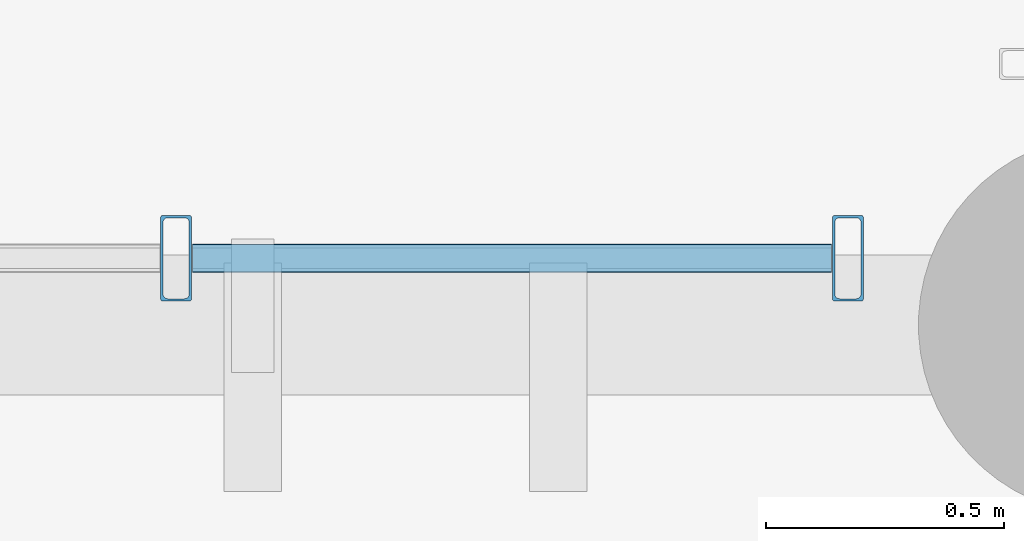
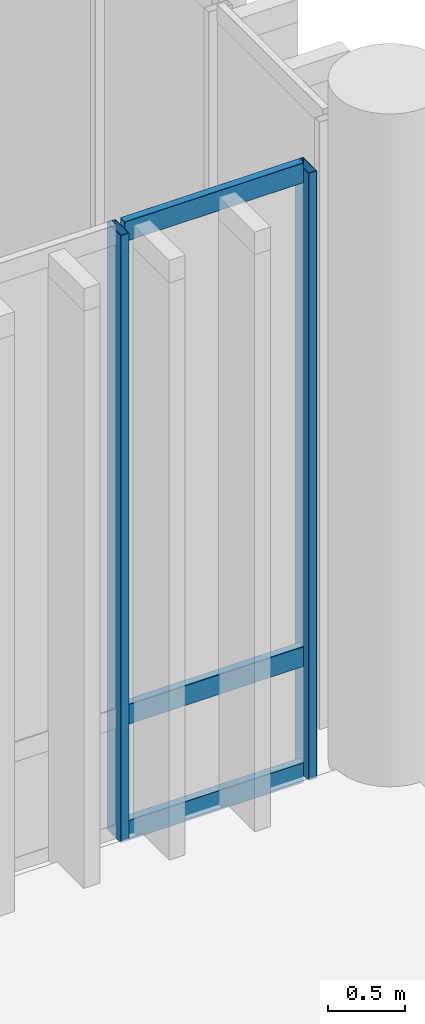
# One storey, part 77 of 128: 5 members, 1 element without a shape of its own.
"""IFC4 building model written with IfcOpenShell, lengths in metres."""

import ifcopenshell
import ifcopenshell.guid

model = None  # the IFC model being written
_history = None  # IfcOwnerHistory: only IFC2X3 demands one
_inside = {}  # id of a spatial element -> (the spatial element, [elements in it])
_under = {}  # id of a project, library or spatial element -> (it, [spatial elements below it])
_declared = {}  # id of a project -> (the project, [libraries it declares])
_typed = {}  # id of a type object -> (the type object, [elements of that type])
_made_of = {}  # id of a material, layer set ... -> (it, [elements and type objects made of it])


def new_model(schema):
    """Start an empty IFC model of exactly this schema.

    Asked for "IFC4X3", IfcOpenShell would pick the latest addendum, in which some entities
    have other attributes; the version numbers below select the first issue.
    IFC2X3 requires an IfcOwnerHistory on every rooted entity: one is made here for all.
    """
    global model, _history
    if schema == "IFC4X3":
        model = ifcopenshell.file(schema_version=(4, 3, 0, 0))
    else:
        model = ifcopenshell.file(schema=schema)
    _inside.clear()
    _under.clear()
    _declared.clear()
    _typed.clear()
    _made_of.clear()
    _history = None
    if model.schema == "IFC2X3":
        org = make("IfcOrganization", Name="unknown")
        user = make(
            "IfcPersonAndOrganization",
            ThePerson=make("IfcPerson", FamilyName="unknown"),
            TheOrganization=org,
        )
        app = make(
            "IfcApplication",
            ApplicationDeveloper=org,
            Version="unknown",
            ApplicationFullName="unknown",
            ApplicationIdentifier="unknown",
        )
        _history = make(
            "IfcOwnerHistory",
            OwningUser=user,
            OwningApplication=app,
            ChangeAction="ADDED",
            CreationDate=0,
        )
    return model


def make(cls, **values):
    """One entity of the class cls with the attributes given. An attribute that is None is left unset."""
    return model.create_entity(
        cls, **{name: value for name, value in values.items() if value is not None}
    )


def rooted(cls, **values):
    """An entity with a GlobalId (a new one), such as an element, a storey or a relation."""
    return make(cls, GlobalId=ifcopenshell.guid.new(), OwnerHistory=_history, **values)


def si_unit(unit_type, name, prefix=None):
    """IfcSIUnit, for example si_unit("LENGTHUNIT", "METRE", prefix="MILLI")."""
    return make("IfcSIUnit", UnitType=unit_type, Prefix=prefix, Name=name)


def assignment(units):
    """IfcUnitAssignment: the units of a project."""
    return None if units is None else make("IfcUnitAssignment", Units=units)


def point(xyz):
    """IfcCartesianPoint."""
    return None if xyz is None else make("IfcCartesianPoint", Coordinates=xyz)


def direction(xyz):
    """IfcDirection."""
    return None if xyz is None else make("IfcDirection", DirectionRatios=xyz)


def frame(location, z_axis=None, x_axis=None):
    """IfcAxis2Placement3D, a coordinate frame: its origin and axes. An axis left out is left unset."""
    return make(
        "IfcAxis2Placement3D",
        Location=point(location),
        Axis=direction(z_axis),
        RefDirection=direction(x_axis),
    )


def frame_2d(location, x_axis=None):
    """IfcAxis2Placement2D, a coordinate frame in the plane: its origin and x axis."""
    return make(
        "IfcAxis2Placement2D", Location=point(location), RefDirection=direction(x_axis)
    )


def origin_with_axes():
    """The frame at (0, 0, 0) with the z axis (0, 0, 1) and the x axis (1, 0, 0) written out."""
    return frame((0.0, 0.0, 0.0), z_axis=(0.0, 0.0, 1.0), x_axis=(1.0, 0.0, 0.0))


def origin_2d_with_axis():
    """The frame at (0, 0) in the plane with the x axis (1, 0) written out."""
    return frame_2d((0.0, 0.0), x_axis=(1.0, 0.0))


def place(relative_to, where):
    """IfcLocalPlacement: puts the frame where relative to a parent placement (None: the world)."""
    return make(
        "IfcLocalPlacement", PlacementRelTo=relative_to, RelativePlacement=where
    )


def context(
    kind, dimensions, precision=None, world=None, true_north=None, identifier=None
):
    """IfcGeometricRepresentationContext, for example the 3D "Model" context."""
    return make(
        "IfcGeometricRepresentationContext",
        ContextIdentifier=identifier,
        ContextType=kind,
        CoordinateSpaceDimension=dimensions,
        Precision=precision,
        WorldCoordinateSystem=world,
        TrueNorth=true_north,
    )


def subcontext(parent, identifier, kind, view, scale=None):
    """IfcGeometricRepresentationSubContext, for example "Body" below "Model"."""
    return make(
        "IfcGeometricRepresentationSubContext",
        ContextIdentifier=identifier,
        ContextType=kind,
        ParentContext=parent,
        TargetScale=scale,
        TargetView=view,
    )


def project(units=None, contexts=None):
    """IfcProject with its units and contexts."""
    return rooted(
        "IfcProject",
        Name="project",
        RepresentationContexts=contexts,
        UnitsInContext=assignment(units),
    )


def spatial(cls, under=None, at=None, **own):
    """A site, building, storey or space (cls), placed at a placement, below another one or the project."""
    s = rooted(cls, ObjectPlacement=at, **own)
    if under is not None:
        _under.setdefault(under.id(), (under, []))[1].append(s)
    return s


def profile(cls, at=None, kind="AREA", **sizes):
    """A parametric profile (cls). Its sizes go by their IFC names, for example OverallWidth=200.0."""
    return make(cls, ProfileType=kind, Position=at, **sizes)


def hollow_rectangle(**sizes):
    """IfcRectangleHollowProfileDef."""
    return profile("IfcRectangleHollowProfileDef", **sizes)


def extrude(swept, where, along, depth):
    """IfcExtrudedAreaSolid: the profile swept, set in the frame where, extruded along a direction by depth."""
    return make(
        "IfcExtrudedAreaSolid",
        SweptArea=swept,
        Position=where,
        ExtrudedDirection=direction(along),
        Depth=depth,
    )


def shape(context_of_items, identifier, shape_type, items):
    """IfcShapeRepresentation: the items that make up one representation, for example the "Body"."""
    return make(
        "IfcShapeRepresentation",
        ContextOfItems=context_of_items,
        RepresentationIdentifier=identifier,
        RepresentationType=shape_type,
        Items=items,
    )


def material(Name=None, Category=None):
    """IfcMaterial."""
    return make("IfcMaterial", Name=Name, Category=Category)


def material_profile(
    of_material, cross_section, Name=None, Category=None, Priority=None
):
    """IfcMaterialProfile: a cross section and its material."""
    return make(
        "IfcMaterialProfile",
        Name=Name,
        Material=of_material,
        Profile=cross_section,
        Priority=Priority,
        Category=Category,
    )


def profile_set(profiles, Name=None, composite=None):
    """IfcMaterialProfileSet."""
    return make(
        "IfcMaterialProfileSet",
        Name=Name,
        MaterialProfiles=profiles,
        CompositeProfile=composite,
    )


def made_of(thing, what):
    """Note that an element or type object is made of a material, layer set ...; save() writes the relation."""
    if what is not None:
        _made_of.setdefault(what.id(), (what, []))[1].append(thing)
    return thing


def type_object(cls, material=None, **own):
    """A type object (cls), such as IfcWallType, which elements share."""
    return made_of(rooted(cls, **own), material)


def element(
    cls,
    number,
    at=None,
    inside=None,
    cuts=None,
    type_object=None,
    material=None,
    context=None,
    identifier="Body",
    shape_type=None,
    held_by="IfcProductDefinitionShape",
    body=None,
    shapes=None,
    **own,
):
    """One element of the class cls, such as IfcWall. Its Tag is "e" and its number.

    at: its placement. inside: the storey or other place that contains it. cuts: it is an
    opening in that element (IfcRelVoidsElement). A single representation is given by context,
    identifier, shape_type and body (its items); several are given by shapes. held_by: the class
    of the entity that holds the representations. save() writes the other relations.
    """
    e = rooted(cls, Tag="e%d" % number, ObjectPlacement=at, **own)
    if body is not None:
        shapes = [shape(context, identifier, shape_type, body)]
    if shapes is not None:
        e.Representation = make(held_by, Representations=shapes)
    if inside is not None:
        _inside.setdefault(inside.id(), (inside, []))[1].append(e)
    if cuts is not None:
        rooted(
            "IfcRelVoidsElement", RelatingBuildingElement=cuts, RelatedOpeningElement=e
        )
    if type_object is not None:
        _typed.setdefault(type_object.id(), (type_object, []))[1].append(e)
    return made_of(e, material)


def aggregate(whole, parts):
    """IfcRelAggregates: a whole, such as a stair, and the parts it consists of."""
    return rooted("IfcRelAggregates", RelatingObject=whole, RelatedObjects=parts)


def save(model, path):
    """Write the relations noted so far, then the file.

    IfcRelAggregates (storeys below a building ...), IfcRelContainedInSpatialStructure (elements
    in a storey), IfcRelDefinesByType, IfcRelAssociatesMaterial and IfcRelDeclares: one each for
    every whole, place, type object, material and project.
    """
    for whole, parts in _under.values():
        aggregate(whole, parts)
    for where, things in _inside.values():
        rooted(
            "IfcRelContainedInSpatialStructure",
            RelatedElements=things,
            RelatingStructure=where,
        )
    for kind, things in _typed.values():
        rooted("IfcRelDefinesByType", RelatedObjects=things, RelatingType=kind)
    for what, things in _made_of.values():
        rooted("IfcRelAssociatesMaterial", RelatedObjects=things, RelatingMaterial=what)
    for by, libraries in _declared.values():
        rooted("IfcRelDeclares", RelatingContext=by, RelatedDefinitions=libraries)
    model.write(path)


model = new_model("IFC4")

# Units and contexts
model_context = context("Model", 3, precision=1e-05, world=origin_with_axes(), true_north=direction((0.0, 1.0)))
body_context = subcontext(model_context, "Body", "Model", "MODEL_VIEW")
ifc_project = project(units=[si_unit("LENGTHUNIT", "METRE"), si_unit("AREAUNIT", "SQUARE_METRE"), si_unit("VOLUMEUNIT", "CUBIC_METRE"), si_unit("PLANEANGLEUNIT", "RADIAN"), si_unit("MASSUNIT", "GRAM", prefix="KILO"), si_unit("THERMODYNAMICTEMPERATUREUNIT", "KELVIN")], contexts=[model_context])

# Site, building, storey
site_placement = place(None, origin_with_axes())
site = spatial("IfcSite", under=ifc_project, at=site_placement, CompositionType="ELEMENT")
building_placement = place(site_placement, origin_with_axes())
building = spatial("IfcBuilding", under=site, at=building_placement, Name="Montbau Bow Law Courts", CompositionType="ELEMENT")
storey_placement = place(building_placement, frame((0.0, 0.0, 5.4), z_axis=(0.0, 0.0, 1.0), x_axis=(1.0, 0.0, 0.0)))
storey = spatial("IfcBuildingStorey", under=building, at=storey_placement, Name="L01", CompositionType="ELEMENT", Elevation=5.4)

# Curtain wall, members
ifc_material = material(Name="Thermally Broken Extruded Aluminium AA 6063-T6", Category="aluminium")
curtain_wall_type = type_object("IfcCurtainWallType", Name="CW-SLT-01", PredefinedType="NOTDEFINED", material=ifc_material)
curtain_wall_placement = place(None, frame((163.115, 69.74, 5.4), z_axis=(0.0, 0.0, 1.0), x_axis=(1.0, 0.0, 0.0)))
curtain_wall = element("IfcCurtainWall", 1, at=curtain_wall_placement, inside=storey, type_object=curtain_wall_type, Name="CW-L01-280:cw_0280", PredefinedType="NOTDEFINED")
ifc_material_profile_1 = material_profile(ifc_material, hollow_rectangle(XDim=0.065, YDim=0.18, WallThickness=0.005, InnerFilletRadius=0.01, OuterFilletRadius=0.005, at=origin_2d_with_axis()), Name="CWM-180X65", Category="Main", Priority=0)
ifc_profile_set_1 = profile_set([ifc_material_profile_1], Name="Thermally Broken Extruded Aluminium AA 6063-T6")
member_type_1 = type_object("IfcMemberType", Name="M-MUL-02", PredefinedType="MULLION", material=ifc_profile_set_1)
member_1_placement = place(None, frame((167.442, 69.74, 5.4), z_axis=(0.0, 0.0, 1.0), x_axis=(1.0, 0.0, 0.0)))
member_1 = element("IfcMember", 2, at=member_1_placement, type_object=member_type_1, Name="CW-L01-280-M04:cw_0280_M04", PredefinedType="MULLION", context=body_context, shape_type="SweptSolid", body=[
    extrude(hollow_rectangle(XDim=0.065, YDim=0.18, WallThickness=0.005, InnerFilletRadius=0.01, OuterFilletRadius=0.005, at=origin_2d_with_axis()), origin_with_axes(), (0.0, 0.0, 1.0), 4.82),
])
member_2_placement = place(None, frame((168.852, 69.74, 5.4), z_axis=(0.0, 0.0, 1.0), x_axis=(1.0, 0.0, 0.0)))
member_2 = element("IfcMember", 3, at=member_2_placement, type_object=member_type_1, Name="CW-L01-280-M05:cw_0280_M05", PredefinedType="MULLION", context=body_context, shape_type="SweptSolid", body=[
    extrude(hollow_rectangle(XDim=0.065, YDim=0.18, WallThickness=0.005, InnerFilletRadius=0.01, OuterFilletRadius=0.005, at=origin_2d_with_axis()), origin_with_axes(), (0.0, 0.0, 1.0), 4.82),
])
ifc_material_profile_2 = material_profile(ifc_material, hollow_rectangle(XDim=0.06, YDim=0.16, WallThickness=0.004, InnerFilletRadius=0.008, OuterFilletRadius=0.004, at=origin_2d_with_axis()), Name="CWT-160X60", Category="Main", Priority=0)
ifc_profile_set_2 = profile_set([ifc_material_profile_2], Name="Thermally Broken Extruded Aluminium AA 6063-T6")
member_type_2 = type_object("IfcMemberType", Name="M-TRN-01", PredefinedType="USERDEFINED", material=ifc_profile_set_2)
member_3_placement = place(None, frame((167.476, 69.74, 5.43), z_axis=(1.0, 0.0, 0.0), x_axis=(0.0, 1.0, 0.0)))
member_3 = element("IfcMember", 4, at=member_3_placement, type_object=member_type_2, Name="CW-L01-280-T04-1:cw_0280_T04_1", ObjectType="TRANSOM", PredefinedType="USERDEFINED", context=body_context, shape_type="SweptSolid", body=[
    extrude(hollow_rectangle(XDim=0.06, YDim=0.16, WallThickness=0.004, InnerFilletRadius=0.008, OuterFilletRadius=0.004, at=origin_2d_with_axis()), origin_with_axes(), (0.0, 0.0, 1.0), 1.342),
])
member_4_placement = place(None, frame((167.476, 69.74, 6.35), z_axis=(1.0, 0.0, 0.0), x_axis=(0.0, 1.0, 0.0)))
member_4 = element("IfcMember", 5, at=member_4_placement, type_object=member_type_2, Name="CW-L01-280-T04-2:cw_0280_T04_2", ObjectType="TRANSOM", PredefinedType="USERDEFINED", context=body_context, shape_type="SweptSolid", body=[
    extrude(hollow_rectangle(XDim=0.06, YDim=0.16, WallThickness=0.004, InnerFilletRadius=0.008, OuterFilletRadius=0.004, at=origin_2d_with_axis()), origin_with_axes(), (0.0, 0.0, 1.0), 1.342),
])
member_5_placement = place(None, frame((167.476, 69.74, 10.19), z_axis=(1.0, 0.0, 0.0), x_axis=(0.0, 1.0, 0.0)))
member_5 = element("IfcMember", 6, at=member_5_placement, type_object=member_type_2, Name="CW-L01-280-T04-3:cw_0280_T04_3", ObjectType="TRANSOM", PredefinedType="USERDEFINED", context=body_context, shape_type="SweptSolid", body=[
    extrude(hollow_rectangle(XDim=0.06, YDim=0.16, WallThickness=0.004, InnerFilletRadius=0.008, OuterFilletRadius=0.004, at=origin_2d_with_axis()), origin_with_axes(), (0.0, 0.0, 1.0), 1.342),
])
aggregate(curtain_wall, [member_1, member_2, member_3, member_4, member_5])

save(model, "model.ifc")
